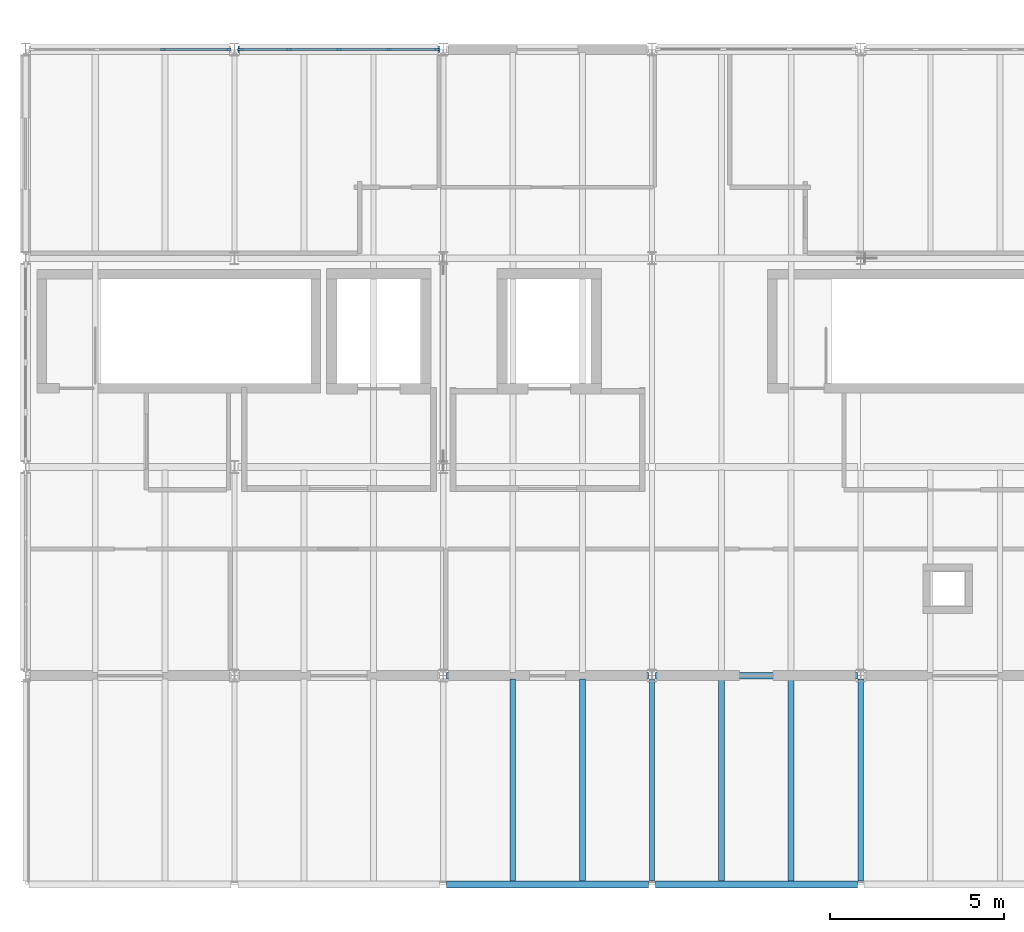
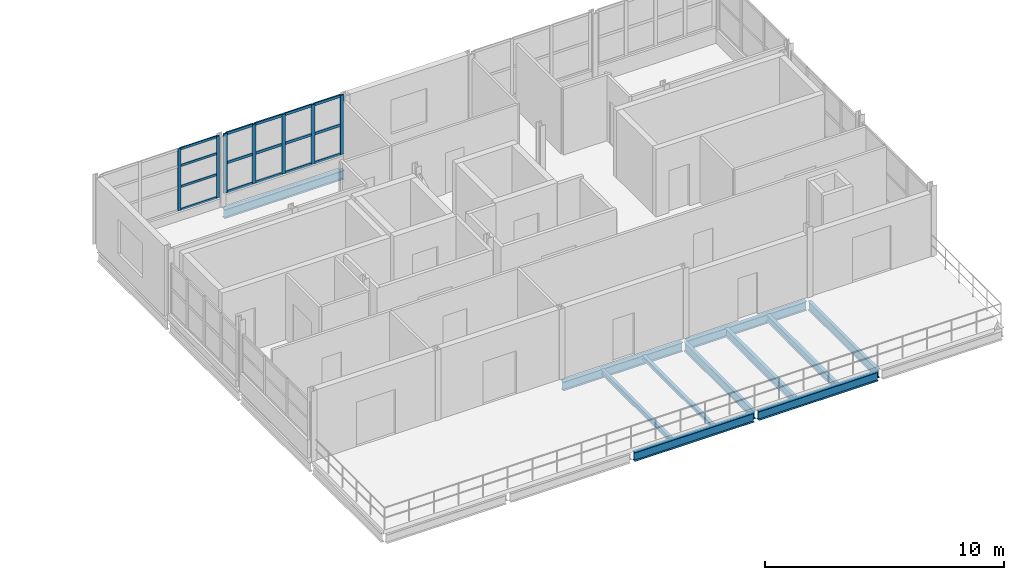
# One storey, part 7 of 20: 23 members, 11 beams, 2 elements without a shape of their own.
"""IFC4 building model written with IfcOpenShell, lengths in metres."""

from ifc_helpers import new_model, si_unit, direction, frame, origin, origin_2d, place, context, subcontext, project, spatial, rectangle, i_section, extrude, material, material_profile, profile_set, type_object, element, aggregate, save


model = new_model("IFC4")

# Units and contexts
model_context = context("Model", 3, precision=1e-05, world=origin(), true_north=direction((0.0, 1.0)))
body_context = subcontext(model_context, "Body", "Model", "MODEL_VIEW")
ifc_project = project(units=[si_unit("LENGTHUNIT", "METRE"), si_unit("AREAUNIT", "SQUARE_METRE"), si_unit("VOLUMEUNIT", "CUBIC_METRE"), si_unit("PLANEANGLEUNIT", "RADIAN"), si_unit("MASSUNIT", "GRAM", prefix="KILO")], contexts=[model_context])

# Site, building, storey
site_placement = place(None, origin())
site = spatial("IfcSite", under=ifc_project, at=site_placement, CompositionType="ELEMENT")
building_placement = place(site_placement, origin())
building = spatial("IfcBuilding", under=site, at=building_placement, Name="Siltcreek Boulevard Central Fire Station", CompositionType="ELEMENT")
storey_placement = place(building_placement, frame((0.0, 0.0, 18.0)))
storey = spatial("IfcBuildingStorey", under=building, at=storey_placement, Name="L05", CompositionType="ELEMENT", Elevation=18.0)

# Beams
ifc_material_1 = material(Name="Structural steel ASTM A992 Gr50", Category="steel")
ifc_material_profile_1 = material_profile(ifc_material_1, i_section(OverallWidth=0.154052734375, OverallDepth=0.458984375, WebThickness=0.009033203125, FlangeThickness=0.015380859375, at=origin_2d()), Name="W460X68")
ifc_profile_set_1 = profile_set([ifc_material_profile_1], Name="Structural steel ASTM A992 Gr50")
beam_type_1 = type_object("IfcBeamType", Name="BM_W460X68", PredefinedType="BEAM", material=ifc_profile_set_1)
for number, where, z_axis, x_axis, name in (
    (1, (142.199951171875, 88.300048828125, -0.439453125), (0.0, 1.0, 0.0), (-1.0, 0.0, 0.0), "L05 primary steel girder GY-0652"),
    (2, (148.199951171875, 88.300048828125, -0.439453125), (0.0, 1.0, 0.0), (-1.0, 0.0, 0.0), "L05 primary steel girder GY-0656"),
):
    element("IfcBeam", number, at=place(storey_placement, frame(where, z_axis=z_axis, x_axis=x_axis)), inside=storey, type_object=beam_type_1, Name=name, PredefinedType="BEAM", context=body_context, shape_type="SweptSolid", body=[
        extrude(i_section(OverallWidth=0.154052734375, OverallDepth=0.458984375, WebThickness=0.009033203125, FlangeThickness=0.015380859375, at=origin_2d()), origin(), (0.0, 0.0, 1.0), 5.800048828125),
    ])
ifc_material_profile_2 = material_profile(ifc_material_1, i_section(OverallWidth=0.19189453125, OverallDepth=0.462890625, WebThickness=0.010498046875, FlangeThickness=0.017578125, at=origin_2d()), Name="W460X89")
ifc_profile_set_2 = profile_set([ifc_material_profile_2], Name="Structural steel ASTM A992 Gr50")
beam_type_2 = type_object("IfcBeamType", Name="BM_W460X89", PredefinedType="BEAM", material=ifc_profile_set_2)
for number, where, z_axis, x_axis, name in (
    (3, (136.300048828125, 88.199951171875, -0.44140625), (1.0, 0.0, 0.0), (0.0, 1.0, 0.0), "L05 primary steel girder GX-0618"),
    (4, (142.300048828125, 88.199951171875, -0.44140625), (1.0, 0.0, 0.0), (0.0, 1.0, 0.0), "L05 primary steel girder GX-0619"),
    (5, (136.300048828125, 94.199951171875, -0.471435546875), (1.0, 0.0, 0.0), (0.0, 1.0, 0.0), "L05 primary steel girder GX-0623"),
    (6, (142.300048828125, 94.199951171875, -0.471435546875), (1.0, 0.0, 0.0), (0.0, 1.0, 0.0), "L05 primary steel girder GX-0624"),
    (7, (130.300048828125, 112.199951171875, -0.471435546875), (1.0, 0.0, 0.0), (0.0, 1.0, 0.0), "L05 primary steel girder GX-0637"),
):
    element("IfcBeam", number, at=place(storey_placement, frame(where, z_axis=z_axis, x_axis=x_axis)), inside=storey, type_object=beam_type_2, Name=name, PredefinedType="BEAM", context=body_context, shape_type="SweptSolid", body=[
        extrude(i_section(OverallWidth=0.19189453125, OverallDepth=0.462890625, WebThickness=0.010498046875, FlangeThickness=0.017578125, at=origin_2d()), origin(), (0.0, 0.0, 1.0), 5.800048828125),
    ])

# Curtain wall, members
ifc_material_2 = material(Name="Anodized aluminum and low-E insulated glazing", Category="aluminium")
curtain_wall_type_1 = type_object("IfcCurtainWallType", Name="CW_SYS_26", PredefinedType="USERDEFINED", material=ifc_material_2)
curtain_wall_1_placement = place(storey_placement, origin())
curtain_wall_1 = element("IfcCurtainWall", 8, at=curtain_wall_1_placement, inside=storey, type_object=curtain_wall_type_1, Name="L05 V5 unitised curtain wall CW-175", ObjectType="CURTAIN WALL", PredefinedType="USERDEFINED")
ifc_material_3 = material(Name="Anodized 6063-T6 aluminum framing", Category="aluminium")
ifc_material_profile_3 = material_profile(ifc_material_3, rectangle(XDim=0.06005859375, YDim=0.14990234375, at=origin_2d()), Name="MULL60X150")
ifc_profile_set_3 = profile_set([ifc_material_profile_3], Name="Anodized 6063-T6 aluminum framing")
member_type_1 = type_object("IfcMemberType", Name="CWM_60X150", PredefinedType="MULLION", material=ifc_profile_set_3)
member_1_placement = place(storey_placement, frame((130.02490234375, 112.199951171875, 0.43994140625), z_axis=(0.0, 0.0, 1.0), x_axis=(0.0, -1.0, 0.0)))
member_1 = element("IfcMember", 9, at=member_1_placement, type_object=member_type_1, Name="CW-175 mullion 1", PredefinedType="MULLION", context=body_context, shape_type="SweptSolid", body=[
    extrude(rectangle(XDim=0.06005859375, YDim=0.14990234375, at=origin_2d()), origin(), (0.0, 0.0, 1.0), 3.16015625),
])
member_2_placement = place(storey_placement, frame((128.151611328125, 112.199951171875, 0.43994140625), z_axis=(0.0, 0.0, 1.0), x_axis=(0.0, -1.0, 0.0)))
member_2 = element("IfcMember", 10, at=member_2_placement, type_object=member_type_1, Name="CW-175 mullion 2", PredefinedType="MULLION", context=body_context, shape_type="SweptSolid", body=[
    extrude(rectangle(XDim=0.06005859375, YDim=0.14990234375, at=origin_2d()), origin(), (0.0, 0.0, 1.0), 3.16015625),
])

curtain_wall_type_2 = type_object("IfcCurtainWallType", Name="CW_SYS_27", PredefinedType="USERDEFINED", material=ifc_material_2)
curtain_wall_2_placement = place(storey_placement, origin())
curtain_wall_2 = element("IfcCurtainWall", 11, at=curtain_wall_2_placement, inside=storey, type_object=curtain_wall_type_2, Name="L05 V5 unitised curtain wall CW-176", ObjectType="CURTAIN WALL", PredefinedType="USERDEFINED")
ifc_material_profile_4 = material_profile(ifc_material_3, rectangle(XDim=0.06494140625, YDim=0.175048828125, at=origin_2d()), Name="MULL65X175")
ifc_profile_set_4 = profile_set([ifc_material_profile_4], Name="Anodized 6063-T6 aluminum framing")
member_type_2 = type_object("IfcMemberType", Name="CWM_65X175", PredefinedType="MULLION", material=ifc_profile_set_4)
member_3_placement = place(storey_placement, frame((136.0224609375, 112.199951171875, 0.56005859375), z_axis=(0.0, 0.0, 1.0), x_axis=(0.0, -1.0, 0.0)))
member_3 = element("IfcMember", 12, at=member_3_placement, type_object=member_type_2, Name="CW-176 mullion 1", PredefinedType="MULLION", context=body_context, shape_type="SweptSolid", body=[
    extrude(rectangle(XDim=0.06494140625, YDim=0.175048828125, at=origin_2d()), origin(), (0.0, 0.0, 1.0), 3.0400390625),
])
member_4_placement = place(storey_placement, frame((134.62744140625, 112.199951171875, 0.56005859375), z_axis=(0.0, 0.0, 1.0), x_axis=(0.0, -1.0, 0.0)))
member_4 = element("IfcMember", 13, at=member_4_placement, type_object=member_type_2, Name="CW-176 mullion 2", PredefinedType="MULLION", context=body_context, shape_type="SweptSolid", body=[
    extrude(rectangle(XDim=0.06494140625, YDim=0.175048828125, at=origin_2d()), origin(), (0.0, 0.0, 1.0), 3.0400390625),
])
member_5_placement = place(storey_placement, frame((133.199951171875, 112.199951171875, 0.56005859375), z_axis=(0.0, 0.0, 1.0), x_axis=(0.0, -1.0, 0.0)))
member_5 = element("IfcMember", 14, at=member_5_placement, type_object=member_type_2, Name="CW-176 mullion 3", PredefinedType="MULLION", context=body_context, shape_type="SweptSolid", body=[
    extrude(rectangle(XDim=0.06494140625, YDim=0.175048828125, at=origin_2d()), origin(), (0.0, 0.0, 1.0), 3.0400390625),
])
member_6_placement = place(storey_placement, frame((131.7724609375, 112.199951171875, 0.56005859375), z_axis=(0.0, 0.0, 1.0), x_axis=(0.0, -1.0, 0.0)))
member_6 = element("IfcMember", 15, at=member_6_placement, type_object=member_type_2, Name="CW-176 mullion 4", PredefinedType="MULLION", context=body_context, shape_type="SweptSolid", body=[
    extrude(rectangle(XDim=0.06494140625, YDim=0.175048828125, at=origin_2d()), origin(), (0.0, 0.0, 1.0), 3.0400390625),
])
member_7_placement = place(storey_placement, frame((130.37744140625, 112.199951171875, 0.56005859375), z_axis=(0.0, 0.0, 1.0), x_axis=(0.0, -1.0, 0.0)))
member_7 = element("IfcMember", 16, at=member_7_placement, type_object=member_type_2, Name="CW-176 mullion 5", PredefinedType="MULLION", context=body_context, shape_type="SweptSolid", body=[
    extrude(rectangle(XDim=0.06494140625, YDim=0.175048828125, at=origin_2d()), origin(), (0.0, 0.0, 1.0), 3.0400390625),
])

# Member
ifc_material_profile_5 = material_profile(ifc_material_3, rectangle(XDim=0.06005859375, YDim=0.114990234375, at=origin_2d()), Name="TRAN60X115")
ifc_profile_set_5 = profile_set([ifc_material_profile_5], Name="Anodized 6063-T6 aluminum framing")
member_type_3 = type_object("IfcMemberType", Name="CWT_60X115", PredefinedType="USERDEFINED", material=ifc_profile_set_5)
member_8_placement = place(storey_placement, frame((129.9951171875, 112.199951171875, 0.469970703125), z_axis=(-1.0, 0.0, 0.0), x_axis=(0.0, -1.0, 0.0)))
member_8 = element("IfcMember", 17, at=member_8_placement, type_object=member_type_3, Name="CW-175 transom 1.1", ObjectType="TRANSOM", PredefinedType="USERDEFINED", context=body_context, shape_type="SweptSolid", body=[
    extrude(rectangle(XDim=0.06005859375, YDim=0.114990234375, at=origin_2d()), origin(), (0.0, 0.0, 1.0), 1.8134765625),
])

member_9_placement = place(storey_placement, frame((129.9951171875, 112.199951171875, 1.640869140625), z_axis=(-1.0, 0.0, 0.0), x_axis=(0.0, -1.0, 0.0)))
member_9 = element("IfcMember", 18, at=member_9_placement, type_object=member_type_3, Name="CW-175 transom 1.2", ObjectType="TRANSOM", PredefinedType="USERDEFINED", context=body_context, shape_type="SweptSolid", body=[
    extrude(rectangle(XDim=0.06005859375, YDim=0.114990234375, at=origin_2d()), origin(), (0.0, 0.0, 1.0), 1.8134765625),
])

member_10_placement = place(storey_placement, frame((129.9951171875, 112.199951171875, 2.715087890625), z_axis=(-1.0, 0.0, 0.0), x_axis=(0.0, -1.0, 0.0)))
member_10 = element("IfcMember", 19, at=member_10_placement, type_object=member_type_3, Name="CW-175 transom 1.3", ObjectType="TRANSOM", PredefinedType="USERDEFINED", context=body_context, shape_type="SweptSolid", body=[
    extrude(rectangle(XDim=0.06005859375, YDim=0.114990234375, at=origin_2d()), origin(), (0.0, 0.0, 1.0), 1.8134765625),
])

member_11_placement = place(storey_placement, frame((129.9951171875, 112.199951171875, 3.570068359375), z_axis=(-1.0, 0.0, 0.0), x_axis=(0.0, -1.0, 0.0)))
member_11 = element("IfcMember", 20, at=member_11_placement, type_object=member_type_3, Name="CW-175 transom 1.4", ObjectType="TRANSOM", PredefinedType="USERDEFINED", context=body_context, shape_type="SweptSolid", body=[
    extrude(rectangle(XDim=0.06005859375, YDim=0.114990234375, at=origin_2d()), origin(), (0.0, 0.0, 1.0), 1.8134765625),
])

aggregate(curtain_wall_1, [member_1, member_2, member_8, member_9, member_10, member_11])

ifc_material_profile_6 = material_profile(ifc_material_3, rectangle(XDim=0.06494140625, YDim=0.135009765625, at=origin_2d()), Name="TRAN65X135")
ifc_profile_set_6 = profile_set([ifc_material_profile_6], Name="Anodized 6063-T6 aluminum framing")
member_type_4 = type_object("IfcMemberType", Name="CWT_65X135", PredefinedType="USERDEFINED", material=ifc_profile_set_6)
member_12_placement = place(storey_placement, frame((135.989990234375, 112.199951171875, 0.592529296875), z_axis=(-1.0, 0.0, 0.0), x_axis=(0.0, -1.0, 0.0)))
member_12 = element("IfcMember", 21, at=member_12_placement, type_object=member_type_4, Name="CW-176 transom 1.1", ObjectType="TRANSOM", PredefinedType="USERDEFINED", context=body_context, shape_type="SweptSolid", body=[
    extrude(rectangle(XDim=0.06494140625, YDim=0.135009765625, at=origin_2d()), origin(), (0.0, 0.0, 1.0), 1.330078125),
])

member_13_placement = place(storey_placement, frame((135.989990234375, 112.199951171875, 2.080078125), z_axis=(-1.0, 0.0, 0.0), x_axis=(0.0, -1.0, 0.0)))
member_13 = element("IfcMember", 22, at=member_13_placement, type_object=member_type_4, Name="CW-176 transom 1.2", ObjectType="TRANSOM", PredefinedType="USERDEFINED", context=body_context, shape_type="SweptSolid", body=[
    extrude(rectangle(XDim=0.06494140625, YDim=0.135009765625, at=origin_2d()), origin(), (0.0, 0.0, 1.0), 1.330078125),
])

member_14_placement = place(storey_placement, frame((135.989990234375, 112.199951171875, 3.5673828125), z_axis=(-1.0, 0.0, 0.0), x_axis=(0.0, -1.0, 0.0)))
member_14 = element("IfcMember", 23, at=member_14_placement, type_object=member_type_4, Name="CW-176 transom 1.3", ObjectType="TRANSOM", PredefinedType="USERDEFINED", context=body_context, shape_type="SweptSolid", body=[
    extrude(rectangle(XDim=0.06494140625, YDim=0.135009765625, at=origin_2d()), origin(), (0.0, 0.0, 1.0), 1.330078125),
])

member_15_placement = place(storey_placement, frame((134.594970703125, 112.199951171875, 0.592529296875), z_axis=(-1.0, 0.0, 0.0), x_axis=(0.0, -1.0, 0.0)))
member_15 = element("IfcMember", 24, at=member_15_placement, type_object=member_type_4, Name="CW-176 transom 2.1", ObjectType="TRANSOM", PredefinedType="USERDEFINED", context=body_context, shape_type="SweptSolid", body=[
    extrude(rectangle(XDim=0.06494140625, YDim=0.135009765625, at=origin_2d()), origin(), (0.0, 0.0, 1.0), 1.362548828125),
])

member_16_placement = place(storey_placement, frame((134.594970703125, 112.199951171875, 2.080078125), z_axis=(-1.0, 0.0, 0.0), x_axis=(0.0, -1.0, 0.0)))
member_16 = element("IfcMember", 25, at=member_16_placement, type_object=member_type_4, Name="CW-176 transom 2.2", ObjectType="TRANSOM", PredefinedType="USERDEFINED", context=body_context, shape_type="SweptSolid", body=[
    extrude(rectangle(XDim=0.06494140625, YDim=0.135009765625, at=origin_2d()), origin(), (0.0, 0.0, 1.0), 1.362548828125),
])

member_17_placement = place(storey_placement, frame((134.594970703125, 112.199951171875, 3.5673828125), z_axis=(-1.0, 0.0, 0.0), x_axis=(0.0, -1.0, 0.0)))
member_17 = element("IfcMember", 26, at=member_17_placement, type_object=member_type_4, Name="CW-176 transom 2.3", ObjectType="TRANSOM", PredefinedType="USERDEFINED", context=body_context, shape_type="SweptSolid", body=[
    extrude(rectangle(XDim=0.06494140625, YDim=0.135009765625, at=origin_2d()), origin(), (0.0, 0.0, 1.0), 1.362548828125),
])

member_18_placement = place(storey_placement, frame((133.16748046875, 112.199951171875, 0.592529296875), z_axis=(-1.0, 0.0, 0.0), x_axis=(0.0, -1.0, 0.0)))
member_18 = element("IfcMember", 27, at=member_18_placement, type_object=member_type_4, Name="CW-176 transom 3.1", ObjectType="TRANSOM", PredefinedType="USERDEFINED", context=body_context, shape_type="SweptSolid", body=[
    extrude(rectangle(XDim=0.06494140625, YDim=0.135009765625, at=origin_2d()), origin(), (0.0, 0.0, 1.0), 1.362548828125),
])

member_19_placement = place(storey_placement, frame((133.16748046875, 112.199951171875, 2.080078125), z_axis=(-1.0, 0.0, 0.0), x_axis=(0.0, -1.0, 0.0)))
member_19 = element("IfcMember", 28, at=member_19_placement, type_object=member_type_4, Name="CW-176 transom 3.2", ObjectType="TRANSOM", PredefinedType="USERDEFINED", context=body_context, shape_type="SweptSolid", body=[
    extrude(rectangle(XDim=0.06494140625, YDim=0.135009765625, at=origin_2d()), origin(), (0.0, 0.0, 1.0), 1.362548828125),
])

member_20_placement = place(storey_placement, frame((133.16748046875, 112.199951171875, 3.5673828125), z_axis=(-1.0, 0.0, 0.0), x_axis=(0.0, -1.0, 0.0)))
member_20 = element("IfcMember", 29, at=member_20_placement, type_object=member_type_4, Name="CW-176 transom 3.3", ObjectType="TRANSOM", PredefinedType="USERDEFINED", context=body_context, shape_type="SweptSolid", body=[
    extrude(rectangle(XDim=0.06494140625, YDim=0.135009765625, at=origin_2d()), origin(), (0.0, 0.0, 1.0), 1.362548828125),
])

member_21_placement = place(storey_placement, frame((131.739990234375, 112.199951171875, 0.592529296875), z_axis=(-1.0, 0.0, 0.0), x_axis=(0.0, -1.0, 0.0)))
member_21 = element("IfcMember", 30, at=member_21_placement, type_object=member_type_4, Name="CW-176 transom 4.1", ObjectType="TRANSOM", PredefinedType="USERDEFINED", context=body_context, shape_type="SweptSolid", body=[
    extrude(rectangle(XDim=0.06494140625, YDim=0.135009765625, at=origin_2d()), origin(), (0.0, 0.0, 1.0), 1.330078125),
])

member_22_placement = place(storey_placement, frame((131.739990234375, 112.199951171875, 2.080078125), z_axis=(-1.0, 0.0, 0.0), x_axis=(0.0, -1.0, 0.0)))
member_22 = element("IfcMember", 31, at=member_22_placement, type_object=member_type_4, Name="CW-176 transom 4.2", ObjectType="TRANSOM", PredefinedType="USERDEFINED", context=body_context, shape_type="SweptSolid", body=[
    extrude(rectangle(XDim=0.06494140625, YDim=0.135009765625, at=origin_2d()), origin(), (0.0, 0.0, 1.0), 1.330078125),
])

member_23_placement = place(storey_placement, frame((131.739990234375, 112.199951171875, 3.5673828125), z_axis=(-1.0, 0.0, 0.0), x_axis=(0.0, -1.0, 0.0)))
member_23 = element("IfcMember", 32, at=member_23_placement, type_object=member_type_4, Name="CW-176 transom 4.3", ObjectType="TRANSOM", PredefinedType="USERDEFINED", context=body_context, shape_type="SweptSolid", body=[
    extrude(rectangle(XDim=0.06494140625, YDim=0.135009765625, at=origin_2d()), origin(), (0.0, 0.0, 1.0), 1.330078125),
])

aggregate(curtain_wall_2, [member_3, member_4, member_5, member_6, member_7, member_12, member_13, member_14, member_15, member_16, member_17, member_18, member_19, member_20, member_21, member_22, member_23])

# Beams
ifc_material_profile_7 = material_profile(ifc_material_1, i_section(OverallWidth=0.1650390625, OverallDepth=0.200927734375, WebThickness=0.006103515625, FlangeThickness=0.01025390625, at=origin_2d()), Name="W200X36")
ifc_profile_set_7 = profile_set([ifc_material_profile_7], Name="Structural steel ASTM A992 Gr50")
beam_type_3 = type_object("IfcBeamType", Name="JST_W200X36", PredefinedType="JOIST", material=ifc_profile_set_7)
beam_1_placement = place(storey_placement, frame((140.199951171875, 88.2939453125, -0.310546875), z_axis=(0.0, 1.0, 0.0), x_axis=(-1.0, 0.0, 0.0)))
element("IfcBeam", 33, at=beam_1_placement, inside=storey, type_object=beam_type_3, Name="L05 secondary steel floor joist 0524", PredefinedType="JOIST", context=body_context, shape_type="SweptSolid", body=[
    extrude(i_section(OverallWidth=0.1650390625, OverallDepth=0.200927734375, WebThickness=0.006103515625, FlangeThickness=0.01025390625, at=origin_2d()), origin(), (0.0, 0.0, 1.0), 5.81201171875),
])
ifc_material_profile_8 = material_profile(ifc_material_1, i_section(OverallWidth=0.14697265625, OverallDepth=0.261962890625, WebThickness=0.006591796875, FlangeThickness=0.01123046875, at=origin_2d()), Name="W250X39")
ifc_profile_set_8 = profile_set([ifc_material_profile_8], Name="Structural steel ASTM A992 Gr50")
beam_type_4 = type_object("IfcBeamType", Name="JST_W250X39", PredefinedType="JOIST", material=ifc_profile_set_8)
beam_2_placement = place(storey_placement, frame((138.199951171875, 88.2939453125, -0.341064453125), z_axis=(0.0, 1.0, 0.0), x_axis=(-1.0, 0.0, 0.0)))
element("IfcBeam", 34, at=beam_2_placement, inside=storey, type_object=beam_type_4, Name="L05 secondary steel floor joist 0523", PredefinedType="JOIST", context=body_context, shape_type="SweptSolid", body=[
    extrude(i_section(OverallWidth=0.14697265625, OverallDepth=0.261962890625, WebThickness=0.006591796875, FlangeThickness=0.01123046875, at=origin_2d()), origin(), (0.0, 0.0, 1.0), 5.81201171875),
])
ifc_material_profile_9 = material_profile(ifc_material_1, i_section(OverallWidth=0.172119140625, OverallDepth=0.35791015625, WebThickness=0.0078125, FlangeThickness=0.01318359375, at=origin_2d()), Name="W360X57")
ifc_profile_set_9 = profile_set([ifc_material_profile_9], Name="Structural steel ASTM A992 Gr50")
beam_type_5 = type_object("IfcBeamType", Name="JST_W360X57", PredefinedType="JOIST", material=ifc_profile_set_9)
beam_3_placement = place(storey_placement, frame((146.199951171875, 88.2939453125, -0.388916015625), z_axis=(0.0, 1.0, 0.0), x_axis=(-1.0, 0.0, 0.0)))
element("IfcBeam", 35, at=beam_3_placement, inside=storey, type_object=beam_type_5, Name="L05 secondary steel floor joist 0526", PredefinedType="JOIST", context=body_context, shape_type="SweptSolid", body=[
    extrude(i_section(OverallWidth=0.172119140625, OverallDepth=0.35791015625, WebThickness=0.0078125, FlangeThickness=0.01318359375, at=origin_2d()), origin(), (0.0, 0.0, 1.0), 5.81201171875),
])
ifc_material_profile_10 = material_profile(ifc_material_1, i_section(OverallWidth=0.177001953125, OverallDepth=0.403076171875, WebThickness=0.007568359375, FlangeThickness=0.010986328125, at=origin_2d()), Name="W410X53")
ifc_profile_set_10 = profile_set([ifc_material_profile_10], Name="Structural steel ASTM A992 Gr50")
beam_type_6 = type_object("IfcBeamType", Name="JST_W410X53", PredefinedType="JOIST", material=ifc_profile_set_10)
beam_4_placement = place(storey_placement, frame((144.199951171875, 88.2939453125, -0.41162109375), z_axis=(0.0, 1.0, 0.0), x_axis=(-1.0, 0.0, 0.0)))
element("IfcBeam", 36, at=beam_4_placement, inside=storey, type_object=beam_type_6, Name="L05 secondary steel floor joist 0525", PredefinedType="JOIST", context=body_context, shape_type="SweptSolid", body=[
    extrude(i_section(OverallWidth=0.177001953125, OverallDepth=0.403076171875, WebThickness=0.007568359375, FlangeThickness=0.010986328125, at=origin_2d()), origin(), (0.0, 0.0, 1.0), 5.81201171875),
])

save(model, "model.ifc")
